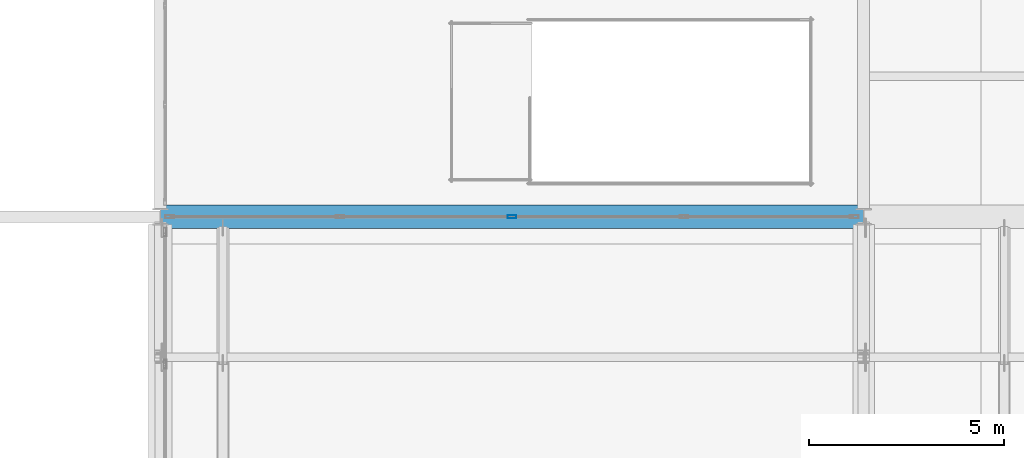
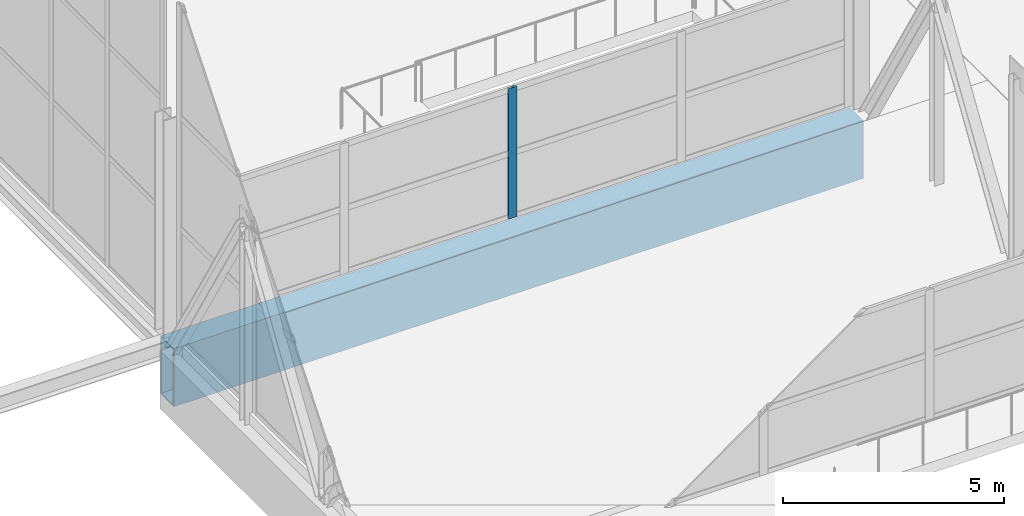
# One storey, part 78 of 191: 1 beam, 1 member, 1 element without a shape of its own.
"""IFC4 building model written with IfcOpenShell, lengths in metres."""

from ifc_helpers import new_model, si_unit, direction, frame, origin, origin_2d, place, context, subcontext, project, spatial, hollow_rectangle, extrude, material, layer, layer_set, material_profile, profile_set, type_object, element, aggregate, save


model = new_model("IFC4")

# Units and contexts
model_context = context("Model", 3, precision=1e-05, world=origin(), true_north=direction((0.0, 1.0)))
body_context = subcontext(model_context, "Body", "Model", "MODEL_VIEW")
ifc_project = project(units=[si_unit("LENGTHUNIT", "METRE"), si_unit("AREAUNIT", "SQUARE_METRE"), si_unit("VOLUMEUNIT", "CUBIC_METRE"), si_unit("PLANEANGLEUNIT", "RADIAN"), si_unit("MASSUNIT", "GRAM", prefix="KILO")], contexts=[model_context])

# Site, building, storey
site_placement = place(None, origin())
site = spatial("IfcSite", under=ifc_project, at=site_placement, CompositionType="ELEMENT")
building_placement = place(site_placement, origin())
building = spatial("IfcBuilding", under=site, at=building_placement, Name="Tamarisk Ironworks Central Station", CompositionType="ELEMENT")
storey_placement = place(building_placement, frame((0.0, 0.0, 6.60009765625)))
storey = spatial("IfcBuildingStorey", under=building, at=storey_placement, Name="L01", CompositionType="ELEMENT", Elevation=6.60009765625)

# Beam
ifc_material_1 = material(Name="Structural steel S355J2", Category="steel")
ifc_material_profile_1 = material_profile(ifc_material_1, hollow_rectangle(XDim=0.60009765625, YDim=1.60009765625, WallThickness=0.031982421875, at=origin_2d()), Name="BOX 600x1600x32")
ifc_profile_set_1 = profile_set([ifc_material_profile_1], Name="Structural steel S355J2")
beam_type = type_object("IfcBeamType", Name="BM-TG01", PredefinedType="USERDEFINED", material=ifc_profile_set_1)
beam_placement = place(storey_placement, frame((54.00390625, 79.199951171875, -1.10009765625), z_axis=(1.0, 0.0, 0.0), x_axis=(0.0, 1.0, 0.0)))
element("IfcBeam", 1, at=beam_placement, inside=storey, type_object=beam_type, Name="L01 primary girder X-0084", ObjectType="TRANSFER GIRDER", PredefinedType="USERDEFINED", context=body_context, shape_type="SweptSolid", body=[
    extrude(hollow_rectangle(XDim=0.60009765625, YDim=1.60009765625, WallThickness=0.031982421875, at=origin_2d()), origin(), (0.0, 0.0, 1.0), 17.9921875),
])

# Curtain wall, member
ifc_material_2 = material(Name="Anodized aluminium alloy 6063-T6", Category="aluminium")
ifc_layer = layer(ifc_material_2, 0.179931640625)
ifc_layer_set = layer_set([ifc_layer], Name="Anodized aluminium alloy 6063-T6")
curtain_wall_type = type_object("IfcCurtainWallType", Name="CW-24", PredefinedType="USERDEFINED", material=ifc_layer_set)
curtain_wall_placement = place(storey_placement, origin())
curtain_wall = element("IfcCurtainWall", 2, at=curtain_wall_placement, inside=storey, type_object=curtain_wall_type, Name="North bridge west glazed acoustic screen", ObjectType="GLAZED CURTAIN WALL", PredefinedType="USERDEFINED")
ifc_material_profile_2 = material_profile(ifc_material_2, hollow_rectangle(XDim=0.074951171875, YDim=0.219970703125, WallThickness=0.00390625, at=origin_2d()), Name="ALUM 220x75")
ifc_profile_set_2 = profile_set([ifc_material_profile_2], Name="Anodized aluminium alloy 6063-T6")
member_type = type_object("IfcMemberType", Name="CWM-01", PredefinedType="MULLION", material=ifc_profile_set_2)
member_placement = place(storey_placement, frame((63.0, 79.199951171875, 0.0), z_axis=(0.0, 0.0, 1.0), x_axis=(0.0, 1.0, 0.0)))
member = element("IfcMember", 3, at=member_placement, type_object=member_type, Name="CW24 mullion 3", PredefinedType="MULLION", context=body_context, shape_type="SweptSolid", body=[
    extrude(hollow_rectangle(XDim=0.074951171875, YDim=0.219970703125, WallThickness=0.00390625, at=origin_2d()), origin(), (0.0, 0.0, 1.0), 3.599853515625),
])
aggregate(curtain_wall, [member])

save(model, "model.ifc")
